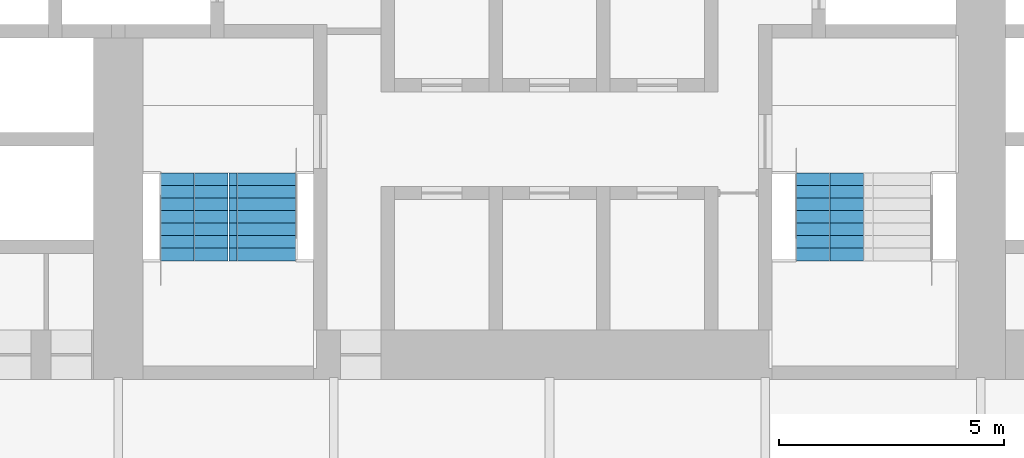
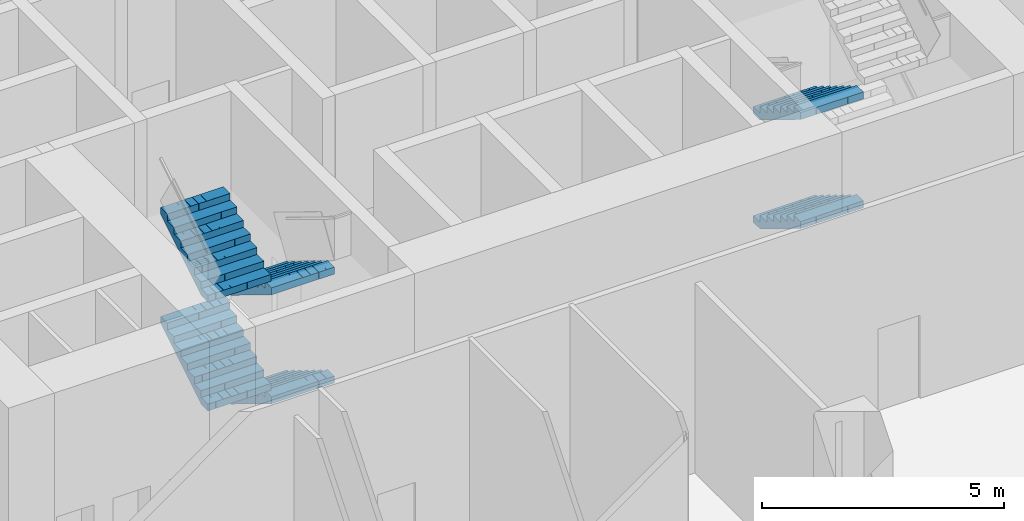
# One storey, part 24 of 30: 6 stair flights, 2 elements without a shape of their own.
"""IFC4 building model written with IfcOpenShell, lengths in metres."""

from ifc_helpers import new_model, si_unit, direction, frame, origin, place, context, subcontext, project, spatial, polyline, outline, extrude, material, type_object, element, aggregate, save


model = new_model("IFC4")

# Units and contexts
model_context = context("Model", 3, precision=1e-05, world=origin(), true_north=direction((0.0, 1.0)))
body_context = subcontext(model_context, "Body", "Model", "MODEL_VIEW")
ifc_project = project(units=[si_unit("LENGTHUNIT", "METRE"), si_unit("AREAUNIT", "SQUARE_METRE"), si_unit("VOLUMEUNIT", "CUBIC_METRE"), si_unit("PLANEANGLEUNIT", "RADIAN"), si_unit("MASSUNIT", "GRAM", prefix="KILO")], contexts=[model_context])

# Site, building, storey
site_placement = place(None, origin())
site = spatial("IfcSite", under=ifc_project, at=site_placement, CompositionType="ELEMENT")
building_placement = place(site_placement, origin())
building = spatial("IfcBuilding", under=site, at=building_placement, Name="Kolab Exchange Tower", CompositionType="ELEMENT")
storey_placement = place(building_placement, frame((0.0, 0.0, 38.89990234375)))
storey = spatial("IfcBuildingStorey", under=building, at=storey_placement, Name="L07", CompositionType="ELEMENT", Elevation=38.89990234375)

# Stair, stair flights
ifc_material = material(Name="Concrete C50/60", Category="concrete")
stair_type_1 = type_object("IfcStairType", Name="STAIR ST3 RISER 171.9", PredefinedType="DOUBLE_RETURN_STAIR", material=ifc_material)
stair_1_placement = place(storey_placement, origin())
stair_1 = element("IfcStair", 1, at=stair_1_placement, inside=storey, type_object=stair_type_1, Name="Stair 3", PredefinedType="DOUBLE_RETURN_STAIR")
stair_flight_type = type_object("IfcStairFlightType", Name="STAIR FLIGHT 1500 RISER 171.9", PredefinedType="STRAIGHT", material=ifc_material)
stair_flight_1_placement = place(storey_placement, frame((-6.389892578125, -5.550048828125, 0.0), z_axis=(0.0, 0.0, 1.0), x_axis=(0.0, -1.0, 0.0)))
stair_flight_1 = element("IfcStairFlight", 2, at=stair_flight_1_placement, type_object=stair_flight_type, Name="ST3 flight 1", NumberOfRisers=8, NumberOfTreads=7, PredefinedType="STRAIGHT", RiserHeight=0.171875, TreadLength=0.28, context=body_context, shape_type="SweptSolid", body=[
    extrude(outline(polyline([(0.0, 0.0), (0.0, 0.171875), (0.280029296875, 0.171875), (0.280029296875, 0.34375), (0.56005859375, 0.34375), (0.56005859375, 0.515625), (0.840087890625, 0.515625), (0.840087890625, 0.6875), (1.1201171875, 0.6875), (1.1201171875, 0.859375), (1.39990234375, 0.859375), (1.39990234375, 1.03125), (1.679931640625, 1.03125), (1.679931640625, 1.203125), (1.9599609375, 1.203125), (1.9599609375, 1.375), (1.9599609375, 1.02734375), (0.28662109375, 0.0), (0.0, 0.0)])), frame((0.0, 0.75, 0.0), z_axis=(0.0, -1.0, 0.0), x_axis=(1.0, 0.0, 0.0)), (0.0, 0.0, 1.0), 0.185791015625),
    extrude(outline(polyline([(0.0, 0.0), (0.0, 0.171875), (0.280029296875, 0.171875), (0.280029296875, 0.34375), (0.56005859375, 0.34375), (0.56005859375, 0.515625), (0.840087890625, 0.515625), (0.840087890625, 0.6875), (1.1201171875, 0.6875), (1.1201171875, 0.859375), (1.39990234375, 0.859375), (1.39990234375, 1.03125), (1.679931640625, 1.03125), (1.679931640625, 1.203125), (1.9599609375, 1.203125), (1.9599609375, 1.375), (1.9599609375, 1.02734375), (0.28662109375, 0.0), (0.0, 0.0)])), frame((0.0, 0.562255859375, 0.0), z_axis=(0.0, -1.0, 0.0), x_axis=(1.0, 0.0, 0.0)), (0.0, 0.0, 1.0), 0.185791015625),
    extrude(outline(polyline([(0.0, 0.0), (0.0, 0.171875), (0.280029296875, 0.171875), (0.280029296875, 0.34375), (0.56005859375, 0.34375), (0.56005859375, 0.515625), (0.840087890625, 0.515625), (0.840087890625, 0.6875), (1.1201171875, 0.6875), (1.1201171875, 0.859375), (1.39990234375, 0.859375), (1.39990234375, 1.03125), (1.679931640625, 1.03125), (1.679931640625, 1.203125), (1.9599609375, 1.203125), (1.9599609375, 1.375), (1.9599609375, 1.02734375), (0.28662109375, 0.0), (0.0, 0.0)])), frame((0.0, 0.37451171875, 0.0), z_axis=(0.0, -1.0, 0.0), x_axis=(1.0, 0.0, 0.0)), (0.0, 0.0, 1.0), 0.185791015625),
    extrude(outline(polyline([(0.0, 0.0), (0.0, 0.171875), (0.280029296875, 0.171875), (0.280029296875, 0.34375), (0.56005859375, 0.34375), (0.56005859375, 0.515625), (0.840087890625, 0.515625), (0.840087890625, 0.6875), (1.1201171875, 0.6875), (1.1201171875, 0.859375), (1.39990234375, 0.859375), (1.39990234375, 1.03125), (1.679931640625, 1.03125), (1.679931640625, 1.203125), (1.9599609375, 1.203125), (1.9599609375, 1.375), (1.9599609375, 1.02734375), (0.28662109375, 0.0), (0.0, 0.0)])), frame((0.0, 0.186767578125, 0.0), z_axis=(0.0, -1.0, 0.0), x_axis=(1.0, 0.0, 0.0)), (0.0, 0.0, 1.0), 0.185791015625),
    extrude(outline(polyline([(0.0, 0.0), (0.0, 0.171875), (0.280029296875, 0.171875), (0.280029296875, 0.34375), (0.56005859375, 0.34375), (0.56005859375, 0.515625), (0.840087890625, 0.515625), (0.840087890625, 0.6875), (1.1201171875, 0.6875), (1.1201171875, 0.859375), (1.39990234375, 0.859375), (1.39990234375, 1.03125), (1.679931640625, 1.03125), (1.679931640625, 1.203125), (1.9599609375, 1.203125), (1.9599609375, 1.375), (1.9599609375, 1.02734375), (0.28662109375, 0.0), (0.0, 0.0)])), frame((0.0, -0.0009765625, 0.0), z_axis=(0.0, -1.0, 0.0), x_axis=(1.0, 0.0, 0.0)), (0.0, 0.0, 1.0), 0.185791015625),
    extrude(outline(polyline([(0.0, 0.0), (0.0, 0.171875), (0.280029296875, 0.171875), (0.280029296875, 0.34375), (0.56005859375, 0.34375), (0.56005859375, 0.515625), (0.840087890625, 0.515625), (0.840087890625, 0.6875), (1.1201171875, 0.6875), (1.1201171875, 0.859375), (1.39990234375, 0.859375), (1.39990234375, 1.03125), (1.679931640625, 1.03125), (1.679931640625, 1.203125), (1.9599609375, 1.203125), (1.9599609375, 1.375), (1.9599609375, 1.02734375), (0.28662109375, 0.0), (0.0, 0.0)])), frame((0.0, -0.188720703125, 0.0), z_axis=(0.0, -1.0, 0.0), x_axis=(1.0, 0.0, 0.0)), (0.0, 0.0, 1.0), 0.185791015625),
    extrude(outline(polyline([(0.0, 0.0), (0.0, 0.171875), (0.280029296875, 0.171875), (0.280029296875, 0.34375), (0.56005859375, 0.34375), (0.56005859375, 0.515625), (0.840087890625, 0.515625), (0.840087890625, 0.6875), (1.1201171875, 0.6875), (1.1201171875, 0.859375), (1.39990234375, 0.859375), (1.39990234375, 1.03125), (1.679931640625, 1.03125), (1.679931640625, 1.203125), (1.9599609375, 1.203125), (1.9599609375, 1.375), (1.9599609375, 1.02734375), (0.28662109375, 0.0), (0.0, 0.0)])), frame((0.0, -0.37646484375, 0.0), z_axis=(0.0, -1.0, 0.0), x_axis=(1.0, 0.0, 0.0)), (0.0, 0.0, 1.0), 0.185791015625),
    extrude(outline(polyline([(0.0, 0.0), (0.0, 0.171875), (0.280029296875, 0.171875), (0.280029296875, 0.34375), (0.56005859375, 0.34375), (0.56005859375, 0.515625), (0.840087890625, 0.515625), (0.840087890625, 0.6875), (1.1201171875, 0.6875), (1.1201171875, 0.859375), (1.39990234375, 0.859375), (1.39990234375, 1.03125), (1.679931640625, 1.03125), (1.679931640625, 1.203125), (1.9599609375, 1.203125), (1.9599609375, 1.375), (1.9599609375, 1.02734375), (0.28662109375, 0.0), (0.0, 0.0)])), frame((0.0, -0.564208984375, 0.0), z_axis=(0.0, -1.0, 0.0), x_axis=(1.0, 0.0, 0.0)), (0.0, 0.0, 1.0), 0.185791015625),
])
stair_flight_2_placement = place(storey_placement, frame((-7.909912109375, -7.510009765625, 1.375), z_axis=(0.0, 0.0, 1.0), x_axis=(0.0, 1.0, 0.0)))
stair_flight_2 = element("IfcStairFlight", 3, at=stair_flight_2_placement, type_object=stair_flight_type, Name="ST3 flight 2", NumberOfRisers=8, NumberOfTreads=7, PredefinedType="STRAIGHT", RiserHeight=0.171875, TreadLength=0.28, context=body_context, shape_type="SweptSolid", body=[
    extrude(outline(polyline([(0.0, 0.0), (0.0, 0.171875), (0.280029296875, 0.171875), (0.280029296875, 0.34375), (0.56005859375, 0.34375), (0.56005859375, 0.515625), (0.840087890625, 0.515625), (0.840087890625, 0.6875), (1.1201171875, 0.6875), (1.1201171875, 0.859375), (1.39990234375, 0.859375), (1.39990234375, 1.03125), (1.679931640625, 1.03125), (1.679931640625, 1.203125), (1.9599609375, 1.203125), (1.9599609375, 1.375), (1.9599609375, 1.02734375), (0.28662109375, 0.0), (0.0, 0.0)])), frame((0.0, 0.75, 0.0), z_axis=(0.0, -1.0, 0.0), x_axis=(1.0, 0.0, 0.0)), (0.0, 0.0, 1.0), 0.185791015625),
    extrude(outline(polyline([(0.0, 0.0), (0.0, 0.171875), (0.280029296875, 0.171875), (0.280029296875, 0.34375), (0.56005859375, 0.34375), (0.56005859375, 0.515625), (0.840087890625, 0.515625), (0.840087890625, 0.6875), (1.1201171875, 0.6875), (1.1201171875, 0.859375), (1.39990234375, 0.859375), (1.39990234375, 1.03125), (1.679931640625, 1.03125), (1.679931640625, 1.203125), (1.9599609375, 1.203125), (1.9599609375, 1.375), (1.9599609375, 1.02734375), (0.28662109375, 0.0), (0.0, 0.0)])), frame((0.0, 0.562255859375, 0.0), z_axis=(0.0, -1.0, 0.0), x_axis=(1.0, 0.0, 0.0)), (0.0, 0.0, 1.0), 0.185791015625),
    extrude(outline(polyline([(0.0, 0.0), (0.0, 0.171875), (0.280029296875, 0.171875), (0.280029296875, 0.34375), (0.56005859375, 0.34375), (0.56005859375, 0.515625), (0.840087890625, 0.515625), (0.840087890625, 0.6875), (1.1201171875, 0.6875), (1.1201171875, 0.859375), (1.39990234375, 0.859375), (1.39990234375, 1.03125), (1.679931640625, 1.03125), (1.679931640625, 1.203125), (1.9599609375, 1.203125), (1.9599609375, 1.375), (1.9599609375, 1.02734375), (0.28662109375, 0.0), (0.0, 0.0)])), frame((0.0, 0.37451171875, 0.0), z_axis=(0.0, -1.0, 0.0), x_axis=(1.0, 0.0, 0.0)), (0.0, 0.0, 1.0), 0.185791015625),
    extrude(outline(polyline([(0.0, 0.0), (0.0, 0.171875), (0.280029296875, 0.171875), (0.280029296875, 0.34375), (0.56005859375, 0.34375), (0.56005859375, 0.515625), (0.840087890625, 0.515625), (0.840087890625, 0.6875), (1.1201171875, 0.6875), (1.1201171875, 0.859375), (1.39990234375, 0.859375), (1.39990234375, 1.03125), (1.679931640625, 1.03125), (1.679931640625, 1.203125), (1.9599609375, 1.203125), (1.9599609375, 1.375), (1.9599609375, 1.02734375), (0.28662109375, 0.0), (0.0, 0.0)])), frame((0.0, 0.186767578125, 0.0), z_axis=(0.0, -1.0, 0.0), x_axis=(1.0, 0.0, 0.0)), (0.0, 0.0, 1.0), 0.185791015625),
    extrude(outline(polyline([(0.0, 0.0), (0.0, 0.171875), (0.280029296875, 0.171875), (0.280029296875, 0.34375), (0.56005859375, 0.34375), (0.56005859375, 0.515625), (0.840087890625, 0.515625), (0.840087890625, 0.6875), (1.1201171875, 0.6875), (1.1201171875, 0.859375), (1.39990234375, 0.859375), (1.39990234375, 1.03125), (1.679931640625, 1.03125), (1.679931640625, 1.203125), (1.9599609375, 1.203125), (1.9599609375, 1.375), (1.9599609375, 1.02734375), (0.28662109375, 0.0), (0.0, 0.0)])), frame((0.0, -0.0009765625, 0.0), z_axis=(0.0, -1.0, 0.0), x_axis=(1.0, 0.0, 0.0)), (0.0, 0.0, 1.0), 0.185791015625),
    extrude(outline(polyline([(0.0, 0.0), (0.0, 0.171875), (0.280029296875, 0.171875), (0.280029296875, 0.34375), (0.56005859375, 0.34375), (0.56005859375, 0.515625), (0.840087890625, 0.515625), (0.840087890625, 0.6875), (1.1201171875, 0.6875), (1.1201171875, 0.859375), (1.39990234375, 0.859375), (1.39990234375, 1.03125), (1.679931640625, 1.03125), (1.679931640625, 1.203125), (1.9599609375, 1.203125), (1.9599609375, 1.375), (1.9599609375, 1.02734375), (0.28662109375, 0.0), (0.0, 0.0)])), frame((0.0, -0.188720703125, 0.0), z_axis=(0.0, -1.0, 0.0), x_axis=(1.0, 0.0, 0.0)), (0.0, 0.0, 1.0), 0.185791015625),
    extrude(outline(polyline([(0.0, 0.0), (0.0, 0.171875), (0.280029296875, 0.171875), (0.280029296875, 0.34375), (0.56005859375, 0.34375), (0.56005859375, 0.515625), (0.840087890625, 0.515625), (0.840087890625, 0.6875), (1.1201171875, 0.6875), (1.1201171875, 0.859375), (1.39990234375, 0.859375), (1.39990234375, 1.03125), (1.679931640625, 1.03125), (1.679931640625, 1.203125), (1.9599609375, 1.203125), (1.9599609375, 1.375), (1.9599609375, 1.02734375), (0.28662109375, 0.0), (0.0, 0.0)])), frame((0.0, -0.37646484375, 0.0), z_axis=(0.0, -1.0, 0.0), x_axis=(1.0, 0.0, 0.0)), (0.0, 0.0, 1.0), 0.185791015625),
    extrude(outline(polyline([(0.0, 0.0), (0.0, 0.171875), (0.280029296875, 0.171875), (0.280029296875, 0.34375), (0.56005859375, 0.34375), (0.56005859375, 0.515625), (0.840087890625, 0.515625), (0.840087890625, 0.6875), (1.1201171875, 0.6875), (1.1201171875, 0.859375), (1.39990234375, 0.859375), (1.39990234375, 1.03125), (1.679931640625, 1.03125), (1.679931640625, 1.203125), (1.9599609375, 1.203125), (1.9599609375, 1.375), (1.9599609375, 1.02734375), (0.28662109375, 0.0), (0.0, 0.0)])), frame((0.0, -0.564208984375, 0.0), z_axis=(0.0, -1.0, 0.0), x_axis=(1.0, 0.0, 0.0)), (0.0, 0.0, 1.0), 0.185791015625),
])
stair_flight_3_placement = place(storey_placement, frame((-6.389892578125, -5.550048828125, 2.75), z_axis=(0.0, 0.0, 1.0), x_axis=(0.0, -1.0, 0.0)))
stair_flight_3 = element("IfcStairFlight", 4, at=stair_flight_3_placement, type_object=stair_flight_type, Name="ST3 flight 3", NumberOfRisers=8, NumberOfTreads=7, PredefinedType="STRAIGHT", RiserHeight=0.171875, TreadLength=0.28, context=body_context, shape_type="SweptSolid", body=[
    extrude(outline(polyline([(0.0, 0.0), (0.0, 0.171875), (0.280029296875, 0.171875), (0.280029296875, 0.34375), (0.56005859375, 0.34375), (0.56005859375, 0.515625), (0.840087890625, 0.515625), (0.840087890625, 0.6875), (1.1201171875, 0.6875), (1.1201171875, 0.859375), (1.39990234375, 0.859375), (1.39990234375, 1.03125), (1.679931640625, 1.03125), (1.679931640625, 1.203125), (1.9599609375, 1.203125), (1.9599609375, 1.375), (1.9599609375, 1.02734375), (0.28662109375, 0.0), (0.0, 0.0)])), frame((0.0, 0.75, 0.0), z_axis=(0.0, -1.0, 0.0), x_axis=(1.0, 0.0, 0.0)), (0.0, 0.0, 1.0), 0.185791015625),
    extrude(outline(polyline([(0.0, 0.0), (0.0, 0.171875), (0.280029296875, 0.171875), (0.280029296875, 0.34375), (0.56005859375, 0.34375), (0.56005859375, 0.515625), (0.840087890625, 0.515625), (0.840087890625, 0.6875), (1.1201171875, 0.6875), (1.1201171875, 0.859375), (1.39990234375, 0.859375), (1.39990234375, 1.03125), (1.679931640625, 1.03125), (1.679931640625, 1.203125), (1.9599609375, 1.203125), (1.9599609375, 1.375), (1.9599609375, 1.02734375), (0.28662109375, 0.0), (0.0, 0.0)])), frame((0.0, 0.562255859375, 0.0), z_axis=(0.0, -1.0, 0.0), x_axis=(1.0, 0.0, 0.0)), (0.0, 0.0, 1.0), 0.185791015625),
    extrude(outline(polyline([(0.0, 0.0), (0.0, 0.171875), (0.280029296875, 0.171875), (0.280029296875, 0.34375), (0.56005859375, 0.34375), (0.56005859375, 0.515625), (0.840087890625, 0.515625), (0.840087890625, 0.6875), (1.1201171875, 0.6875), (1.1201171875, 0.859375), (1.39990234375, 0.859375), (1.39990234375, 1.03125), (1.679931640625, 1.03125), (1.679931640625, 1.203125), (1.9599609375, 1.203125), (1.9599609375, 1.375), (1.9599609375, 1.02734375), (0.28662109375, 0.0), (0.0, 0.0)])), frame((0.0, 0.37451171875, 0.0), z_axis=(0.0, -1.0, 0.0), x_axis=(1.0, 0.0, 0.0)), (0.0, 0.0, 1.0), 0.185791015625),
    extrude(outline(polyline([(0.0, 0.0), (0.0, 0.171875), (0.280029296875, 0.171875), (0.280029296875, 0.34375), (0.56005859375, 0.34375), (0.56005859375, 0.515625), (0.840087890625, 0.515625), (0.840087890625, 0.6875), (1.1201171875, 0.6875), (1.1201171875, 0.859375), (1.39990234375, 0.859375), (1.39990234375, 1.03125), (1.679931640625, 1.03125), (1.679931640625, 1.203125), (1.9599609375, 1.203125), (1.9599609375, 1.375), (1.9599609375, 1.02734375), (0.28662109375, 0.0), (0.0, 0.0)])), frame((0.0, 0.186767578125, 0.0), z_axis=(0.0, -1.0, 0.0), x_axis=(1.0, 0.0, 0.0)), (0.0, 0.0, 1.0), 0.185791015625),
    extrude(outline(polyline([(0.0, 0.0), (0.0, 0.171875), (0.280029296875, 0.171875), (0.280029296875, 0.34375), (0.56005859375, 0.34375), (0.56005859375, 0.515625), (0.840087890625, 0.515625), (0.840087890625, 0.6875), (1.1201171875, 0.6875), (1.1201171875, 0.859375), (1.39990234375, 0.859375), (1.39990234375, 1.03125), (1.679931640625, 1.03125), (1.679931640625, 1.203125), (1.9599609375, 1.203125), (1.9599609375, 1.375), (1.9599609375, 1.02734375), (0.28662109375, 0.0), (0.0, 0.0)])), frame((0.0, -0.0009765625, 0.0), z_axis=(0.0, -1.0, 0.0), x_axis=(1.0, 0.0, 0.0)), (0.0, 0.0, 1.0), 0.185791015625),
    extrude(outline(polyline([(0.0, 0.0), (0.0, 0.171875), (0.280029296875, 0.171875), (0.280029296875, 0.34375), (0.56005859375, 0.34375), (0.56005859375, 0.515625), (0.840087890625, 0.515625), (0.840087890625, 0.6875), (1.1201171875, 0.6875), (1.1201171875, 0.859375), (1.39990234375, 0.859375), (1.39990234375, 1.03125), (1.679931640625, 1.03125), (1.679931640625, 1.203125), (1.9599609375, 1.203125), (1.9599609375, 1.375), (1.9599609375, 1.02734375), (0.28662109375, 0.0), (0.0, 0.0)])), frame((0.0, -0.188720703125, 0.0), z_axis=(0.0, -1.0, 0.0), x_axis=(1.0, 0.0, 0.0)), (0.0, 0.0, 1.0), 0.185791015625),
    extrude(outline(polyline([(0.0, 0.0), (0.0, 0.171875), (0.280029296875, 0.171875), (0.280029296875, 0.34375), (0.56005859375, 0.34375), (0.56005859375, 0.515625), (0.840087890625, 0.515625), (0.840087890625, 0.6875), (1.1201171875, 0.6875), (1.1201171875, 0.859375), (1.39990234375, 0.859375), (1.39990234375, 1.03125), (1.679931640625, 1.03125), (1.679931640625, 1.203125), (1.9599609375, 1.203125), (1.9599609375, 1.375), (1.9599609375, 1.02734375), (0.28662109375, 0.0), (0.0, 0.0)])), frame((0.0, -0.37646484375, 0.0), z_axis=(0.0, -1.0, 0.0), x_axis=(1.0, 0.0, 0.0)), (0.0, 0.0, 1.0), 0.185791015625),
    extrude(outline(polyline([(0.0, 0.0), (0.0, 0.171875), (0.280029296875, 0.171875), (0.280029296875, 0.34375), (0.56005859375, 0.34375), (0.56005859375, 0.515625), (0.840087890625, 0.515625), (0.840087890625, 0.6875), (1.1201171875, 0.6875), (1.1201171875, 0.859375), (1.39990234375, 0.859375), (1.39990234375, 1.03125), (1.679931640625, 1.03125), (1.679931640625, 1.203125), (1.9599609375, 1.203125), (1.9599609375, 1.375), (1.9599609375, 1.02734375), (0.28662109375, 0.0), (0.0, 0.0)])), frame((0.0, -0.564208984375, 0.0), z_axis=(0.0, -1.0, 0.0), x_axis=(1.0, 0.0, 0.0)), (0.0, 0.0, 1.0), 0.185791015625),
])
stair_flight_4_placement = place(storey_placement, frame((-7.909912109375, -7.510009765625, 4.125), z_axis=(0.0, 0.0, 1.0), x_axis=(0.0, 1.0, 0.0)))
stair_flight_4 = element("IfcStairFlight", 5, at=stair_flight_4_placement, type_object=stair_flight_type, Name="ST3 flight 4", NumberOfRisers=8, NumberOfTreads=7, PredefinedType="STRAIGHT", RiserHeight=0.171875, TreadLength=0.28, context=body_context, shape_type="SweptSolid", body=[
    extrude(outline(polyline([(0.0, 0.0), (0.0, 0.171875), (0.280029296875, 0.171875), (0.280029296875, 0.34375), (0.56005859375, 0.34375), (0.56005859375, 0.515625), (0.840087890625, 0.515625), (0.840087890625, 0.6875), (1.1201171875, 0.6875), (1.1201171875, 0.859375), (1.39990234375, 0.859375), (1.39990234375, 1.03125), (1.679931640625, 1.03125), (1.679931640625, 1.203125), (1.9599609375, 1.203125), (1.9599609375, 1.375), (1.9599609375, 1.02734375), (0.28662109375, 0.0), (0.0, 0.0)])), frame((0.0, 0.75, 0.0), z_axis=(0.0, -1.0, 0.0), x_axis=(1.0, 0.0, 0.0)), (0.0, 0.0, 1.0), 0.185791015625),
    extrude(outline(polyline([(0.0, 0.0), (0.0, 0.171875), (0.280029296875, 0.171875), (0.280029296875, 0.34375), (0.56005859375, 0.34375), (0.56005859375, 0.515625), (0.840087890625, 0.515625), (0.840087890625, 0.6875), (1.1201171875, 0.6875), (1.1201171875, 0.859375), (1.39990234375, 0.859375), (1.39990234375, 1.03125), (1.679931640625, 1.03125), (1.679931640625, 1.203125), (1.9599609375, 1.203125), (1.9599609375, 1.375), (1.9599609375, 1.02734375), (0.28662109375, 0.0), (0.0, 0.0)])), frame((0.0, 0.562255859375, 0.0), z_axis=(0.0, -1.0, 0.0), x_axis=(1.0, 0.0, 0.0)), (0.0, 0.0, 1.0), 0.185791015625),
    extrude(outline(polyline([(0.0, 0.0), (0.0, 0.171875), (0.280029296875, 0.171875), (0.280029296875, 0.34375), (0.56005859375, 0.34375), (0.56005859375, 0.515625), (0.840087890625, 0.515625), (0.840087890625, 0.6875), (1.1201171875, 0.6875), (1.1201171875, 0.859375), (1.39990234375, 0.859375), (1.39990234375, 1.03125), (1.679931640625, 1.03125), (1.679931640625, 1.203125), (1.9599609375, 1.203125), (1.9599609375, 1.375), (1.9599609375, 1.02734375), (0.28662109375, 0.0), (0.0, 0.0)])), frame((0.0, 0.37451171875, 0.0), z_axis=(0.0, -1.0, 0.0), x_axis=(1.0, 0.0, 0.0)), (0.0, 0.0, 1.0), 0.185791015625),
    extrude(outline(polyline([(0.0, 0.0), (0.0, 0.171875), (0.280029296875, 0.171875), (0.280029296875, 0.34375), (0.56005859375, 0.34375), (0.56005859375, 0.515625), (0.840087890625, 0.515625), (0.840087890625, 0.6875), (1.1201171875, 0.6875), (1.1201171875, 0.859375), (1.39990234375, 0.859375), (1.39990234375, 1.03125), (1.679931640625, 1.03125), (1.679931640625, 1.203125), (1.9599609375, 1.203125), (1.9599609375, 1.375), (1.9599609375, 1.02734375), (0.28662109375, 0.0), (0.0, 0.0)])), frame((0.0, 0.186767578125, 0.0), z_axis=(0.0, -1.0, 0.0), x_axis=(1.0, 0.0, 0.0)), (0.0, 0.0, 1.0), 0.185791015625),
    extrude(outline(polyline([(0.0, 0.0), (0.0, 0.171875), (0.280029296875, 0.171875), (0.280029296875, 0.34375), (0.56005859375, 0.34375), (0.56005859375, 0.515625), (0.840087890625, 0.515625), (0.840087890625, 0.6875), (1.1201171875, 0.6875), (1.1201171875, 0.859375), (1.39990234375, 0.859375), (1.39990234375, 1.03125), (1.679931640625, 1.03125), (1.679931640625, 1.203125), (1.9599609375, 1.203125), (1.9599609375, 1.375), (1.9599609375, 1.02734375), (0.28662109375, 0.0), (0.0, 0.0)])), frame((0.0, -0.0009765625, 0.0), z_axis=(0.0, -1.0, 0.0), x_axis=(1.0, 0.0, 0.0)), (0.0, 0.0, 1.0), 0.185791015625),
    extrude(outline(polyline([(0.0, 0.0), (0.0, 0.171875), (0.280029296875, 0.171875), (0.280029296875, 0.34375), (0.56005859375, 0.34375), (0.56005859375, 0.515625), (0.840087890625, 0.515625), (0.840087890625, 0.6875), (1.1201171875, 0.6875), (1.1201171875, 0.859375), (1.39990234375, 0.859375), (1.39990234375, 1.03125), (1.679931640625, 1.03125), (1.679931640625, 1.203125), (1.9599609375, 1.203125), (1.9599609375, 1.375), (1.9599609375, 1.02734375), (0.28662109375, 0.0), (0.0, 0.0)])), frame((0.0, -0.188720703125, 0.0), z_axis=(0.0, -1.0, 0.0), x_axis=(1.0, 0.0, 0.0)), (0.0, 0.0, 1.0), 0.185791015625),
    extrude(outline(polyline([(0.0, 0.0), (0.0, 0.171875), (0.280029296875, 0.171875), (0.280029296875, 0.34375), (0.56005859375, 0.34375), (0.56005859375, 0.515625), (0.840087890625, 0.515625), (0.840087890625, 0.6875), (1.1201171875, 0.6875), (1.1201171875, 0.859375), (1.39990234375, 0.859375), (1.39990234375, 1.03125), (1.679931640625, 1.03125), (1.679931640625, 1.203125), (1.9599609375, 1.203125), (1.9599609375, 1.375), (1.9599609375, 1.02734375), (0.28662109375, 0.0), (0.0, 0.0)])), frame((0.0, -0.37646484375, 0.0), z_axis=(0.0, -1.0, 0.0), x_axis=(1.0, 0.0, 0.0)), (0.0, 0.0, 1.0), 0.185791015625),
    extrude(outline(polyline([(0.0, 0.0), (0.0, 0.171875), (0.280029296875, 0.171875), (0.280029296875, 0.34375), (0.56005859375, 0.34375), (0.56005859375, 0.515625), (0.840087890625, 0.515625), (0.840087890625, 0.6875), (1.1201171875, 0.6875), (1.1201171875, 0.859375), (1.39990234375, 0.859375), (1.39990234375, 1.03125), (1.679931640625, 1.03125), (1.679931640625, 1.203125), (1.9599609375, 1.203125), (1.9599609375, 1.375), (1.9599609375, 1.02734375), (0.28662109375, 0.0), (0.0, 0.0)])), frame((0.0, -0.564208984375, 0.0), z_axis=(0.0, -1.0, 0.0), x_axis=(1.0, 0.0, 0.0)), (0.0, 0.0, 1.0), 0.185791015625),
])
aggregate(stair_1, [stair_flight_1, stair_flight_2, stair_flight_3, stair_flight_4])

stair_type_2 = type_object("IfcStairType", Name="STAIR ST2 RISER 171.9", PredefinedType="DOUBLE_RETURN_STAIR", material=ifc_material)
stair_2_placement = place(storey_placement, origin())
stair_2 = element("IfcStair", 6, at=stair_2_placement, inside=storey, type_object=stair_type_2, Name="Stair 2", PredefinedType="DOUBLE_RETURN_STAIR")
stair_flight_5_placement = place(storey_placement, frame((6.239990234375, -5.550048828125, 0.0), z_axis=(0.0, 0.0, 1.0), x_axis=(0.0, -1.0, 0.0)))
stair_flight_5 = element("IfcStairFlight", 7, at=stair_flight_5_placement, type_object=stair_flight_type, Name="ST2 flight 1", NumberOfRisers=8, NumberOfTreads=7, PredefinedType="STRAIGHT", RiserHeight=0.171875, TreadLength=0.28, context=body_context, shape_type="SweptSolid", body=[
    extrude(outline(polyline([(0.0, 0.0), (0.0, 0.171875), (0.280029296875, 0.171875), (0.280029296875, 0.34375), (0.56005859375, 0.34375), (0.56005859375, 0.515625), (0.840087890625, 0.515625), (0.840087890625, 0.6875), (1.1201171875, 0.6875), (1.1201171875, 0.859375), (1.39990234375, 0.859375), (1.39990234375, 1.03125), (1.679931640625, 1.03125), (1.679931640625, 1.203125), (1.9599609375, 1.203125), (1.9599609375, 1.375), (1.9599609375, 1.02734375), (0.28662109375, 0.0), (0.0, 0.0)])), frame((0.0, 0.75, 0.0), z_axis=(0.0, -1.0, 0.0), x_axis=(1.0, 0.0, 0.0)), (0.0, 0.0, 1.0), 0.185791015625),
    extrude(outline(polyline([(0.0, 0.0), (0.0, 0.171875), (0.280029296875, 0.171875), (0.280029296875, 0.34375), (0.56005859375, 0.34375), (0.56005859375, 0.515625), (0.840087890625, 0.515625), (0.840087890625, 0.6875), (1.1201171875, 0.6875), (1.1201171875, 0.859375), (1.39990234375, 0.859375), (1.39990234375, 1.03125), (1.679931640625, 1.03125), (1.679931640625, 1.203125), (1.9599609375, 1.203125), (1.9599609375, 1.375), (1.9599609375, 1.02734375), (0.28662109375, 0.0), (0.0, 0.0)])), frame((0.0, 0.562255859375, 0.0), z_axis=(0.0, -1.0, 0.0), x_axis=(1.0, 0.0, 0.0)), (0.0, 0.0, 1.0), 0.185791015625),
    extrude(outline(polyline([(0.0, 0.0), (0.0, 0.171875), (0.280029296875, 0.171875), (0.280029296875, 0.34375), (0.56005859375, 0.34375), (0.56005859375, 0.515625), (0.840087890625, 0.515625), (0.840087890625, 0.6875), (1.1201171875, 0.6875), (1.1201171875, 0.859375), (1.39990234375, 0.859375), (1.39990234375, 1.03125), (1.679931640625, 1.03125), (1.679931640625, 1.203125), (1.9599609375, 1.203125), (1.9599609375, 1.375), (1.9599609375, 1.02734375), (0.28662109375, 0.0), (0.0, 0.0)])), frame((0.0, 0.37451171875, 0.0), z_axis=(0.0, -1.0, 0.0), x_axis=(1.0, 0.0, 0.0)), (0.0, 0.0, 1.0), 0.185791015625),
    extrude(outline(polyline([(0.0, 0.0), (0.0, 0.171875), (0.280029296875, 0.171875), (0.280029296875, 0.34375), (0.56005859375, 0.34375), (0.56005859375, 0.515625), (0.840087890625, 0.515625), (0.840087890625, 0.6875), (1.1201171875, 0.6875), (1.1201171875, 0.859375), (1.39990234375, 0.859375), (1.39990234375, 1.03125), (1.679931640625, 1.03125), (1.679931640625, 1.203125), (1.9599609375, 1.203125), (1.9599609375, 1.375), (1.9599609375, 1.02734375), (0.28662109375, 0.0), (0.0, 0.0)])), frame((0.0, 0.186767578125, 0.0), z_axis=(0.0, -1.0, 0.0), x_axis=(1.0, 0.0, 0.0)), (0.0, 0.0, 1.0), 0.185791015625),
    extrude(outline(polyline([(0.0, 0.0), (0.0, 0.171875), (0.280029296875, 0.171875), (0.280029296875, 0.34375), (0.56005859375, 0.34375), (0.56005859375, 0.515625), (0.840087890625, 0.515625), (0.840087890625, 0.6875), (1.1201171875, 0.6875), (1.1201171875, 0.859375), (1.39990234375, 0.859375), (1.39990234375, 1.03125), (1.679931640625, 1.03125), (1.679931640625, 1.203125), (1.9599609375, 1.203125), (1.9599609375, 1.375), (1.9599609375, 1.02734375), (0.28662109375, 0.0), (0.0, 0.0)])), frame((0.0, -0.0009765625, 0.0), z_axis=(0.0, -1.0, 0.0), x_axis=(1.0, 0.0, 0.0)), (0.0, 0.0, 1.0), 0.185791015625),
    extrude(outline(polyline([(0.0, 0.0), (0.0, 0.171875), (0.280029296875, 0.171875), (0.280029296875, 0.34375), (0.56005859375, 0.34375), (0.56005859375, 0.515625), (0.840087890625, 0.515625), (0.840087890625, 0.6875), (1.1201171875, 0.6875), (1.1201171875, 0.859375), (1.39990234375, 0.859375), (1.39990234375, 1.03125), (1.679931640625, 1.03125), (1.679931640625, 1.203125), (1.9599609375, 1.203125), (1.9599609375, 1.375), (1.9599609375, 1.02734375), (0.28662109375, 0.0), (0.0, 0.0)])), frame((0.0, -0.188720703125, 0.0), z_axis=(0.0, -1.0, 0.0), x_axis=(1.0, 0.0, 0.0)), (0.0, 0.0, 1.0), 0.185791015625),
    extrude(outline(polyline([(0.0, 0.0), (0.0, 0.171875), (0.280029296875, 0.171875), (0.280029296875, 0.34375), (0.56005859375, 0.34375), (0.56005859375, 0.515625), (0.840087890625, 0.515625), (0.840087890625, 0.6875), (1.1201171875, 0.6875), (1.1201171875, 0.859375), (1.39990234375, 0.859375), (1.39990234375, 1.03125), (1.679931640625, 1.03125), (1.679931640625, 1.203125), (1.9599609375, 1.203125), (1.9599609375, 1.375), (1.9599609375, 1.02734375), (0.28662109375, 0.0), (0.0, 0.0)])), frame((0.0, -0.37646484375, 0.0), z_axis=(0.0, -1.0, 0.0), x_axis=(1.0, 0.0, 0.0)), (0.0, 0.0, 1.0), 0.185791015625),
    extrude(outline(polyline([(0.0, 0.0), (0.0, 0.171875), (0.280029296875, 0.171875), (0.280029296875, 0.34375), (0.56005859375, 0.34375), (0.56005859375, 0.515625), (0.840087890625, 0.515625), (0.840087890625, 0.6875), (1.1201171875, 0.6875), (1.1201171875, 0.859375), (1.39990234375, 0.859375), (1.39990234375, 1.03125), (1.679931640625, 1.03125), (1.679931640625, 1.203125), (1.9599609375, 1.203125), (1.9599609375, 1.375), (1.9599609375, 1.02734375), (0.28662109375, 0.0), (0.0, 0.0)])), frame((0.0, -0.564208984375, 0.0), z_axis=(0.0, -1.0, 0.0), x_axis=(1.0, 0.0, 0.0)), (0.0, 0.0, 1.0), 0.185791015625),
])
stair_flight_6_placement = place(storey_placement, frame((6.239990234375, -5.550048828125, 2.75), z_axis=(0.0, 0.0, 1.0), x_axis=(0.0, -1.0, 0.0)))
stair_flight_6 = element("IfcStairFlight", 8, at=stair_flight_6_placement, type_object=stair_flight_type, Name="ST2 flight 3", NumberOfRisers=8, NumberOfTreads=7, PredefinedType="STRAIGHT", RiserHeight=0.171875, TreadLength=0.28, context=body_context, shape_type="SweptSolid", body=[
    extrude(outline(polyline([(0.0, 0.0), (0.0, 0.171875), (0.280029296875, 0.171875), (0.280029296875, 0.34375), (0.56005859375, 0.34375), (0.56005859375, 0.515625), (0.840087890625, 0.515625), (0.840087890625, 0.6875), (1.1201171875, 0.6875), (1.1201171875, 0.859375), (1.39990234375, 0.859375), (1.39990234375, 1.03125), (1.679931640625, 1.03125), (1.679931640625, 1.203125), (1.9599609375, 1.203125), (1.9599609375, 1.375), (1.9599609375, 1.02734375), (0.28662109375, 0.0), (0.0, 0.0)])), frame((0.0, 0.75, 0.0), z_axis=(0.0, -1.0, 0.0), x_axis=(1.0, 0.0, 0.0)), (0.0, 0.0, 1.0), 0.185791015625),
    extrude(outline(polyline([(0.0, 0.0), (0.0, 0.171875), (0.280029296875, 0.171875), (0.280029296875, 0.34375), (0.56005859375, 0.34375), (0.56005859375, 0.515625), (0.840087890625, 0.515625), (0.840087890625, 0.6875), (1.1201171875, 0.6875), (1.1201171875, 0.859375), (1.39990234375, 0.859375), (1.39990234375, 1.03125), (1.679931640625, 1.03125), (1.679931640625, 1.203125), (1.9599609375, 1.203125), (1.9599609375, 1.375), (1.9599609375, 1.02734375), (0.28662109375, 0.0), (0.0, 0.0)])), frame((0.0, 0.562255859375, 0.0), z_axis=(0.0, -1.0, 0.0), x_axis=(1.0, 0.0, 0.0)), (0.0, 0.0, 1.0), 0.185791015625),
    extrude(outline(polyline([(0.0, 0.0), (0.0, 0.171875), (0.280029296875, 0.171875), (0.280029296875, 0.34375), (0.56005859375, 0.34375), (0.56005859375, 0.515625), (0.840087890625, 0.515625), (0.840087890625, 0.6875), (1.1201171875, 0.6875), (1.1201171875, 0.859375), (1.39990234375, 0.859375), (1.39990234375, 1.03125), (1.679931640625, 1.03125), (1.679931640625, 1.203125), (1.9599609375, 1.203125), (1.9599609375, 1.375), (1.9599609375, 1.02734375), (0.28662109375, 0.0), (0.0, 0.0)])), frame((0.0, 0.37451171875, 0.0), z_axis=(0.0, -1.0, 0.0), x_axis=(1.0, 0.0, 0.0)), (0.0, 0.0, 1.0), 0.185791015625),
    extrude(outline(polyline([(0.0, 0.0), (0.0, 0.171875), (0.280029296875, 0.171875), (0.280029296875, 0.34375), (0.56005859375, 0.34375), (0.56005859375, 0.515625), (0.840087890625, 0.515625), (0.840087890625, 0.6875), (1.1201171875, 0.6875), (1.1201171875, 0.859375), (1.39990234375, 0.859375), (1.39990234375, 1.03125), (1.679931640625, 1.03125), (1.679931640625, 1.203125), (1.9599609375, 1.203125), (1.9599609375, 1.375), (1.9599609375, 1.02734375), (0.28662109375, 0.0), (0.0, 0.0)])), frame((0.0, 0.186767578125, 0.0), z_axis=(0.0, -1.0, 0.0), x_axis=(1.0, 0.0, 0.0)), (0.0, 0.0, 1.0), 0.185791015625),
    extrude(outline(polyline([(0.0, 0.0), (0.0, 0.171875), (0.280029296875, 0.171875), (0.280029296875, 0.34375), (0.56005859375, 0.34375), (0.56005859375, 0.515625), (0.840087890625, 0.515625), (0.840087890625, 0.6875), (1.1201171875, 0.6875), (1.1201171875, 0.859375), (1.39990234375, 0.859375), (1.39990234375, 1.03125), (1.679931640625, 1.03125), (1.679931640625, 1.203125), (1.9599609375, 1.203125), (1.9599609375, 1.375), (1.9599609375, 1.02734375), (0.28662109375, 0.0), (0.0, 0.0)])), frame((0.0, -0.0009765625, 0.0), z_axis=(0.0, -1.0, 0.0), x_axis=(1.0, 0.0, 0.0)), (0.0, 0.0, 1.0), 0.185791015625),
    extrude(outline(polyline([(0.0, 0.0), (0.0, 0.171875), (0.280029296875, 0.171875), (0.280029296875, 0.34375), (0.56005859375, 0.34375), (0.56005859375, 0.515625), (0.840087890625, 0.515625), (0.840087890625, 0.6875), (1.1201171875, 0.6875), (1.1201171875, 0.859375), (1.39990234375, 0.859375), (1.39990234375, 1.03125), (1.679931640625, 1.03125), (1.679931640625, 1.203125), (1.9599609375, 1.203125), (1.9599609375, 1.375), (1.9599609375, 1.02734375), (0.28662109375, 0.0), (0.0, 0.0)])), frame((0.0, -0.188720703125, 0.0), z_axis=(0.0, -1.0, 0.0), x_axis=(1.0, 0.0, 0.0)), (0.0, 0.0, 1.0), 0.185791015625),
    extrude(outline(polyline([(0.0, 0.0), (0.0, 0.171875), (0.280029296875, 0.171875), (0.280029296875, 0.34375), (0.56005859375, 0.34375), (0.56005859375, 0.515625), (0.840087890625, 0.515625), (0.840087890625, 0.6875), (1.1201171875, 0.6875), (1.1201171875, 0.859375), (1.39990234375, 0.859375), (1.39990234375, 1.03125), (1.679931640625, 1.03125), (1.679931640625, 1.203125), (1.9599609375, 1.203125), (1.9599609375, 1.375), (1.9599609375, 1.02734375), (0.28662109375, 0.0), (0.0, 0.0)])), frame((0.0, -0.37646484375, 0.0), z_axis=(0.0, -1.0, 0.0), x_axis=(1.0, 0.0, 0.0)), (0.0, 0.0, 1.0), 0.185791015625),
    extrude(outline(polyline([(0.0, 0.0), (0.0, 0.171875), (0.280029296875, 0.171875), (0.280029296875, 0.34375), (0.56005859375, 0.34375), (0.56005859375, 0.515625), (0.840087890625, 0.515625), (0.840087890625, 0.6875), (1.1201171875, 0.6875), (1.1201171875, 0.859375), (1.39990234375, 0.859375), (1.39990234375, 1.03125), (1.679931640625, 1.03125), (1.679931640625, 1.203125), (1.9599609375, 1.203125), (1.9599609375, 1.375), (1.9599609375, 1.02734375), (0.28662109375, 0.0), (0.0, 0.0)])), frame((0.0, -0.564208984375, 0.0), z_axis=(0.0, -1.0, 0.0), x_axis=(1.0, 0.0, 0.0)), (0.0, 0.0, 1.0), 0.185791015625),
])
aggregate(stair_2, [stair_flight_5, stair_flight_6])

save(model, "model.ifc")
